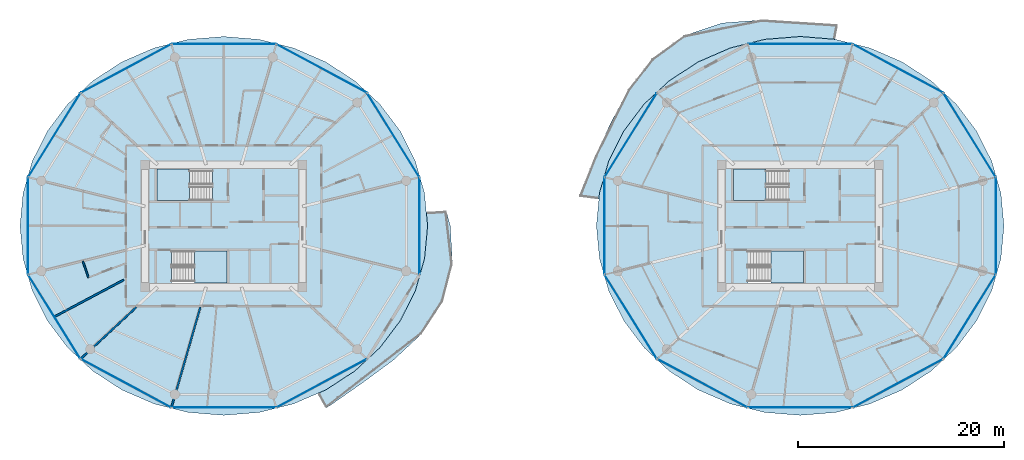
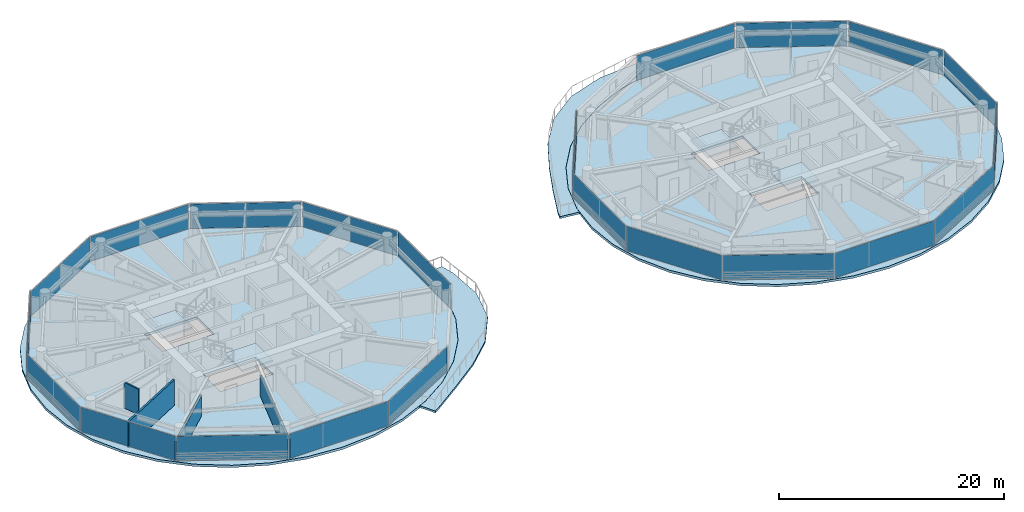
# One storey, part 14 of 26: 22 plates, 8 slabs, 4 walls, 26 elements without a shape of their own.
"""IFC4 building model written with IfcOpenShell, lengths in metres."""

from ifc_helpers import new_model, si_unit, direction, frame, frame_2d, origin, origin_2d, place, context, subcontext, project, spatial, polyline, rectangle, outline, extrude, source, transform, mapped, material, layer, layer_set, type_object, type_shapes, element, aggregate, save


model = new_model("IFC4")

# Units and contexts
model_context = context("Model", 3, precision=1e-05, world=origin(), true_north=direction((0.0, 1.0)))
body_context = subcontext(model_context, "Body", "Model", "MODEL_VIEW")
ifc_project = project(units=[si_unit("LENGTHUNIT", "METRE"), si_unit("AREAUNIT", "SQUARE_METRE"), si_unit("VOLUMEUNIT", "CUBIC_METRE"), si_unit("PLANEANGLEUNIT", "RADIAN"), si_unit("MASSUNIT", "GRAM", prefix="KILO")], contexts=[model_context])

# Site, building, storey
site_placement = place(None, origin())
site = spatial("IfcSite", under=ifc_project, at=site_placement, CompositionType="ELEMENT")
building_placement = place(site_placement, origin())
building = spatial("IfcBuilding", under=site, at=building_placement, Name="Norrkilde Senior Care Towers", CompositionType="ELEMENT")
storey_placement = place(building_placement, frame((0.0, 0.0, 64.300048828125)))
storey = spatial("IfcBuildingStorey", under=building, at=storey_placement, Name="L19", CompositionType="ELEMENT", Elevation=64.300048828125)

# Slabs
ifc_material_1 = material(Name="Concrete C50/60", Category="concrete")
ifc_layer_1 = layer(ifc_material_1, 0.215087890625)
ifc_layer_set_1 = layer_set([ifc_layer_1], Name="Concrete C50/60")
slab_type_1 = type_object("IfcSlabType", Name="Sinusoidal Balcony Ribbon Slab 215", PredefinedType="FLOOR", material=ifc_layer_set_1)
slab_1_placement = place(storey_placement, frame((0.0, 0.0, -0.215087890625)))
element("IfcSlab", 1, at=slab_1_placement, inside=storey, type_object=slab_type_1, Name="L19 Drum W Swirling Senior Balcony 1", PredefinedType="FLOOR", context=body_context, shape_type="SweptSolid", body=[
    extrude(outline(polyline([(-8.780029296875, -10.48779296875), (-11.50732421875, -13.023681640625), (-14.428466796875, -15.177978515625), (-17.391845703125, -17.2548828125), (-18.061767578125, -17.6767578125), (-18.854248046875, -16.26708984375), (-18.097412109375, -15.939208984375), (-15.26953125, -14.09912109375), (-12.828369140625, -11.83056640625), (-10.848388671875, -9.202392578125), (-9.389404296875, -6.294921875), (-8.495849609375, -3.196044921875), (-8.195068359375, 0.0), (-8.317626953125, 1.3017578125), (-6.38232421875, 1.4296875), (-5.993896484375, 0.0), (-5.78173828125, -3.7109375), (-6.7216796875, -7.33984375), (-8.780029296875, -10.48779296875)])), origin(), (0.0, 0.0, 1.0), 0.215087890625),
])
slab_2_placement = place(storey_placement, frame((0.0, 0.0, -0.215087890625)))
element("IfcSlab", 2, at=slab_2_placement, inside=storey, type_object=slab_type_1, Name="L19 Drum E Swirling Senior Balcony 1", PredefinedType="FLOOR", context=body_context, shape_type="SweptSolid", body=[
    extrude(outline(polyline([(8.11572265625, 6.7939453125), (9.580322265625, 9.990478515625), (11.295166015625, 13.215087890625), (13.623291015625, 16.210693359375), (16.73095703125, 18.486572265625), (20.408203125, 19.7138671875), (24.252685546875, 20.006591796875), (28.0, 19.81689453125), (31.6416015625, 19.5322265625), (31.38037109375, 18.130126953125), (28.0, 18.405029296875), (24.560791015625, 18.12548828125), (21.226318359375, 17.294921875), (18.097412109375, 15.939208984375), (15.26953125, 14.09912109375), (12.828369140625, 11.83056640625), (10.848388671875, 9.202392578125), (9.389404296875, 6.294921875), (8.495849609375, 3.196044921875), (8.439697265625, 2.599853515625), (6.55712890625, 2.85009765625), (6.746826171875, 3.52783203125), (8.11572265625, 6.7939453125)])), origin(), (0.0, 0.0, 1.0), 0.215087890625),
])

# Stair, slab
ifc_material_2 = material(Name="Concrete C45/55", Category="concrete")
stair_type = type_object("IfcStairType", Name="Core Protected Dogleg Stair Typical 3050", PredefinedType="HALF_TURN_STAIR", material=ifc_material_2)
stair_1_placement = place(storey_placement, origin())
stair_1 = element("IfcStair", 3, at=stair_1_placement, inside=storey, type_object=stair_type, Name="L19 Protected Core Stair W1", PredefinedType="HALF_TURN_STAIR")
ifc_layer_2 = layer(ifc_material_2, 0.199951171875)
ifc_layer_set_2 = layer_set([ifc_layer_2], Name="Concrete C45/55")
slab_type_2 = type_object("IfcSlabType", Name="Stair Landing Slab 200", PredefinedType="LANDING", material=ifc_layer_set_2)
slab_3_placement = place(storey_placement, frame((0.0, 0.0, 1.324951171875)))
slab_3 = element("IfcSlab", 4, at=slab_3_placement, type_object=slab_type_2, Name="ST-W1 landing 1", PredefinedType="LANDING", context=body_context, shape_type="SweptSolid", body=[
    extrude(outline(polyline([(-31.340087890625, 5.52490234375), (-34.5, 5.52490234375), (-34.5, 2.449951171875), (-31.340087890625, 2.449951171875), (-31.340087890625, 5.52490234375)])), origin(), (0.0, 0.0, 1.0), 0.199951171875),
])
aggregate(stair_1, [slab_3])

stair_2_placement = place(storey_placement, origin())
stair_2 = element("IfcStair", 5, at=stair_2_placement, inside=storey, type_object=stair_type, Name="L19 Protected Core Stair W2", PredefinedType="HALF_TURN_STAIR")
slab_4_placement = place(storey_placement, frame((0.0, 0.0, 1.324951171875)))
slab_4 = element("IfcSlab", 6, at=slab_4_placement, type_object=slab_type_2, Name="ST-W2 landing 1", PredefinedType="LANDING", context=body_context, shape_type="SweptSolid", body=[
    extrude(outline(polyline([(-30.860107421875, -5.52490234375), (-27.699951171875, -5.52490234375), (-27.699951171875, -2.449951171875), (-30.860107421875, -2.449951171875), (-30.860107421875, -5.52490234375)])), origin(), (0.0, 0.0, 1.0), 0.199951171875),
])
aggregate(stair_2, [slab_4])

stair_3_placement = place(storey_placement, origin())
stair_3 = element("IfcStair", 7, at=stair_3_placement, inside=storey, type_object=stair_type, Name="L19 Protected Core Stair E1", PredefinedType="HALF_TURN_STAIR")
slab_5_placement = place(storey_placement, frame((0.0, 0.0, 1.324951171875)))
slab_5 = element("IfcSlab", 8, at=slab_5_placement, type_object=slab_type_2, Name="ST-E1 landing 1", PredefinedType="LANDING", context=body_context, shape_type="SweptSolid", body=[
    extrude(outline(polyline([(24.659912109375, 5.52490234375), (21.5, 5.52490234375), (21.5, 2.449951171875), (24.659912109375, 2.449951171875), (24.659912109375, 5.52490234375)])), origin(), (0.0, 0.0, 1.0), 0.199951171875),
])
aggregate(stair_3, [slab_5])

stair_4_placement = place(storey_placement, origin())
stair_4 = element("IfcStair", 9, at=stair_4_placement, inside=storey, type_object=stair_type, Name="L19 Protected Core Stair E2", PredefinedType="HALF_TURN_STAIR")
slab_6_placement = place(storey_placement, frame((0.0, 0.0, 1.324951171875)))
slab_6 = element("IfcSlab", 10, at=slab_6_placement, type_object=slab_type_2, Name="ST-E2 landing 1", PredefinedType="LANDING", context=body_context, shape_type="SweptSolid", body=[
    extrude(outline(polyline([(25.139892578125, -5.52490234375), (28.300048828125, -5.52490234375), (28.300048828125, -2.449951171875), (25.139892578125, -2.449951171875), (25.139892578125, -5.52490234375)])), origin(), (0.0, 0.0, 1.0), 0.199951171875),
])
aggregate(stair_4, [slab_6])

# Slabs
ifc_layer_3 = layer(ifc_material_1, 0.260009765625)
ifc_layer_set_3 = layer_set([ifc_layer_3], Name="Concrete C50/60")
slab_type_3 = type_object("IfcSlabType", Name="Tower Care Floor Slab 260", PredefinedType="FLOOR", material=ifc_layer_set_3)
slab_7_placement = place(storey_placement, frame((0.0, 0.0, -0.260009765625)))
element("IfcSlab", 11, at=slab_7_placement, inside=storey, type_object=slab_type_3, Name="L19 Drum W Structural Floor Slab", PredefinedType="FLOOR", context=body_context, shape_type="SweptSolid", body=[
    extrude(outline(polyline([(-9.39404296875, -6.293212890625), (-10.852783203125, -9.199951171875), (-12.832275390625, -11.827392578125), (-15.272705078125, -14.09521484375), (-18.10009765625, -15.934814453125), (-21.22802734375, -17.290283203125), (-24.561767578125, -18.120361328125), (-28.0, -18.39990234375), (-31.438232421875, -18.120361328125), (-34.77197265625, -17.290283203125), (-37.89990234375, -15.934814453125), (-40.727294921875, -14.09521484375), (-43.167724609375, -11.827392578125), (-45.147216796875, -9.199951171875), (-46.60595703125, -6.293212890625), (-47.499267578125, -3.195068359375), (-47.800048828125, 0.0), (-47.499267578125, 3.195068359375), (-46.60595703125, 6.293212890625), (-45.147216796875, 9.199951171875), (-43.167724609375, 11.827392578125), (-40.727294921875, 14.09521484375), (-37.89990234375, 15.934814453125), (-34.77197265625, 17.290283203125), (-31.438232421875, 18.120361328125), (-28.0, 18.39990234375), (-24.561767578125, 18.120361328125), (-21.22802734375, 17.290283203125), (-18.10009765625, 15.934814453125), (-15.272705078125, 14.09521484375), (-12.832275390625, 11.827392578125), (-10.852783203125, 9.199951171875), (-9.39404296875, 6.293212890625), (-8.500732421875, 3.195068359375), (-8.199951171875, 0.0), (-8.500732421875, -3.195068359375), (-9.39404296875, -6.293212890625)]), holes=[polyline([(-34.48193359375, 2.468017578125), (-29.117919921875, 2.468017578125), (-29.117919921875, 5.52490234375), (-34.48193359375, 5.52490234375), (-34.48193359375, 2.468017578125)]), polyline([(-27.718017578125, -5.52490234375), (-27.718017578125, -2.468017578125), (-33.08203125, -2.468017578125), (-33.08203125, -5.52490234375), (-27.718017578125, -5.52490234375)])]), origin(), (0.0, 0.0, 1.0), 0.260009765625),
])
slab_8_placement = place(storey_placement, frame((0.0, 0.0, -0.260009765625)))
element("IfcSlab", 12, at=slab_8_placement, inside=storey, type_object=slab_type_3, Name="L19 Drum E Structural Floor Slab", PredefinedType="FLOOR", context=body_context, shape_type="SweptSolid", body=[
    extrude(outline(polyline([(46.60595703125, -6.293212890625), (45.147216796875, -9.199951171875), (43.167724609375, -11.827392578125), (40.727294921875, -14.09521484375), (37.89990234375, -15.934814453125), (34.77197265625, -17.290283203125), (31.438232421875, -18.120361328125), (28.0, -18.39990234375), (24.561767578125, -18.120361328125), (21.22802734375, -17.290283203125), (18.10009765625, -15.934814453125), (15.272705078125, -14.09521484375), (12.832275390625, -11.827392578125), (10.852783203125, -9.199951171875), (9.39404296875, -6.293212890625), (8.500732421875, -3.195068359375), (8.199951171875, 0.0), (8.500732421875, 3.195068359375), (9.39404296875, 6.293212890625), (10.852783203125, 9.199951171875), (12.832275390625, 11.827392578125), (15.272705078125, 14.09521484375), (18.10009765625, 15.934814453125), (21.22802734375, 17.290283203125), (24.561767578125, 18.120361328125), (28.0, 18.39990234375), (31.438232421875, 18.120361328125), (34.77197265625, 17.290283203125), (37.89990234375, 15.934814453125), (40.727294921875, 14.09521484375), (43.167724609375, 11.827392578125), (45.147216796875, 9.199951171875), (46.60595703125, 6.293212890625), (47.499267578125, 3.195068359375), (47.800048828125, 0.0), (47.499267578125, -3.195068359375), (46.60595703125, -6.293212890625)]), holes=[polyline([(21.51806640625, 2.468017578125), (26.882080078125, 2.468017578125), (26.882080078125, 5.52490234375), (21.51806640625, 5.52490234375), (21.51806640625, 2.468017578125)]), polyline([(28.281982421875, -5.52490234375), (28.281982421875, -2.468017578125), (22.91796875, -2.468017578125), (22.91796875, -5.52490234375), (28.281982421875, -5.52490234375)])]), origin(), (0.0, 0.0, 1.0), 0.260009765625),
])

# Curtain wall, plate
ifc_material_3 = material(Name="Triple Low-E Insulated Glazing", Category="glass")
ifc_layer_4 = layer(ifc_material_3, 0.199951171875)
ifc_layer_set_4 = layer_set([ifc_layer_4], Name="Triple Low-E Insulated Glazing")
curtain_wall_type = type_object("IfcCurtainWallType", Name="CW2 Zone 1 Memory Care Curtain Wall", PredefinedType="NOTDEFINED", material=ifc_layer_set_4)
curtain_wall_1_placement = place(storey_placement, origin())
curtain_wall_1 = element("IfcCurtainWall", 13, at=curtain_wall_1_placement, inside=storey, type_object=curtain_wall_type, Name="L19 Drum W Curtain Wall 00", PredefinedType="NOTDEFINED")
ifc_layer_5 = layer(ifc_material_3, 0.035888671875)
ifc_layer_set_5 = layer_set([ifc_layer_5], Name="Triple Low-E Insulated Glazing")
plate_type = type_object("IfcPlateType", Name="Triple Low-E Vision Curtain Panel 36", PredefinedType="CURTAIN_PANEL", material=ifc_layer_set_5)
shared_shape_1 = source(origin(), body_context, "Body", "SweptSolid", [
    extrude(rectangle(XDim=9.518798828125, YDim=0.035888671875, at=origin_2d()), origin(), (0.0, 0.0, 1.0), 2.669921875),
])
plate_1_placement = place(storey_placement, frame((-11.537353515625, 8.82861328125, 0.06005859375), z_axis=(0.0, 0.0, 1.0), x_axis=(0.527900951871, -0.849305943117, 0.0)))
plate_1 = element("IfcPlate", 14, at=plate_1_placement, type_object=plate_type, Name="CW-2 panel 1.1", PredefinedType="CURTAIN_PANEL", context=body_context, shape_type="MappedRepresentation", body=[
    mapped(shared_shape_1, transform((0.0, 0.0, 0.0), x_axis=(1.0, 0.0, 0.0), y_axis=(0.0, 1.0, 0.0), z_axis=(0.0, 0.0, 1.0), scale=1.0)),
])
aggregate(curtain_wall_1, [plate_1])

curtain_wall_2_placement = place(storey_placement, origin())
curtain_wall_2 = element("IfcCurtainWall", 15, at=curtain_wall_2_placement, inside=storey, type_object=curtain_wall_type, Name="L19 Drum W Curtain Wall 04", PredefinedType="NOTDEFINED")
plate_2_placement = place(storey_placement, frame((-44.462646484375, 8.82861328125, 0.06005859375), z_axis=(0.0, 0.0, 1.0), x_axis=(0.527900951871, 0.849305943117, 0.0)))
plate_2 = element("IfcPlate", 16, at=plate_2_placement, type_object=plate_type, Name="CW-2 panel 1.1", PredefinedType="CURTAIN_PANEL", context=body_context, shape_type="MappedRepresentation", body=[
    mapped(shared_shape_1, transform((0.0, 0.0, 0.0), x_axis=(1.0, 0.0, 0.0), y_axis=(0.0, 1.0, 0.0), z_axis=(0.0, 0.0, 1.0), scale=1.0)),
])
aggregate(curtain_wall_2, [plate_2])

curtain_wall_3_placement = place(storey_placement, origin())
curtain_wall_3 = element("IfcCurtainWall", 17, at=curtain_wall_3_placement, inside=storey, type_object=curtain_wall_type, Name="L19 Drum W Curtain Wall 06", PredefinedType="NOTDEFINED")
plate_3_placement = place(storey_placement, frame((-44.462646484375, -8.82861328125, 0.06005859375), z_axis=(0.0, 0.0, 1.0), x_axis=(-0.527900951871, 0.849305943117, 0.0)))
plate_3 = element("IfcPlate", 18, at=plate_3_placement, type_object=plate_type, Name="CW-2 panel 1.1", PredefinedType="CURTAIN_PANEL", context=body_context, shape_type="MappedRepresentation", body=[
    mapped(shared_shape_1, transform((0.0, 0.0, 0.0), x_axis=(1.0, 0.0, 0.0), y_axis=(0.0, 1.0, 0.0), z_axis=(0.0, 0.0, 1.0), scale=1.0)),
])
aggregate(curtain_wall_3, [plate_3])

curtain_wall_4_placement = place(storey_placement, origin())
curtain_wall_4 = element("IfcCurtainWall", 19, at=curtain_wall_4_placement, inside=storey, type_object=curtain_wall_type, Name="L19 Drum E Curtain Wall 00", PredefinedType="NOTDEFINED")
plate_4_placement = place(storey_placement, frame((44.462646484375, 8.82861328125, 0.06005859375), z_axis=(0.0, 0.0, 1.0), x_axis=(0.527900951871, -0.849305943117, 0.0)))
plate_4 = element("IfcPlate", 20, at=plate_4_placement, type_object=plate_type, Name="CW-2 panel 1.1", PredefinedType="CURTAIN_PANEL", context=body_context, shape_type="MappedRepresentation", body=[
    mapped(shared_shape_1, transform((0.0, 0.0, 0.0), x_axis=(1.0, 0.0, 0.0), y_axis=(0.0, 1.0, 0.0), z_axis=(0.0, 0.0, 1.0), scale=1.0)),
])
aggregate(curtain_wall_4, [plate_4])

curtain_wall_5_placement = place(storey_placement, origin())
curtain_wall_5 = element("IfcCurtainWall", 21, at=curtain_wall_5_placement, inside=storey, type_object=curtain_wall_type, Name="L19 Drum E Curtain Wall 04", PredefinedType="NOTDEFINED")
plate_5_placement = place(storey_placement, frame((11.537353515625, 8.82861328125, 0.06005859375), z_axis=(0.0, 0.0, 1.0), x_axis=(0.527900951871, 0.849305943117, 0.0)))
plate_5 = element("IfcPlate", 22, at=plate_5_placement, type_object=plate_type, Name="CW-2 panel 1.1", PredefinedType="CURTAIN_PANEL", context=body_context, shape_type="MappedRepresentation", body=[
    mapped(shared_shape_1, transform((0.0, 0.0, 0.0), x_axis=(1.0, 0.0, 0.0), y_axis=(0.0, 1.0, 0.0), z_axis=(0.0, 0.0, 1.0), scale=1.0)),
])
aggregate(curtain_wall_5, [plate_5])

curtain_wall_6_placement = place(storey_placement, origin())
curtain_wall_6 = element("IfcCurtainWall", 23, at=curtain_wall_6_placement, inside=storey, type_object=curtain_wall_type, Name="L19 Drum E Curtain Wall 06", PredefinedType="NOTDEFINED")
plate_6_placement = place(storey_placement, frame((11.537353515625, -8.82861328125, 0.06005859375), z_axis=(0.0, 0.0, 1.0), x_axis=(-0.527900951871, 0.849305943117, 0.0)))
plate_6 = element("IfcPlate", 24, at=plate_6_placement, type_object=plate_type, Name="CW-2 panel 1.1", PredefinedType="CURTAIN_PANEL", context=body_context, shape_type="MappedRepresentation", body=[
    mapped(shared_shape_1, transform((0.0, 0.0, 0.0), x_axis=(1.0, 0.0, 0.0), y_axis=(0.0, 1.0, 0.0), z_axis=(0.0, 0.0, 1.0), scale=1.0)),
])
aggregate(curtain_wall_6, [plate_6])

curtain_wall_7_placement = place(storey_placement, origin())
curtain_wall_7 = element("IfcCurtainWall", 25, at=curtain_wall_7_placement, inside=storey, type_object=curtain_wall_type, Name="L19 Drum E Curtain Wall 10", PredefinedType="NOTDEFINED")
plate_7_placement = place(storey_placement, frame((44.462646484375, -8.82861328125, 0.06005859375), z_axis=(0.0, 0.0, 1.0), x_axis=(-0.527900951871, -0.849305943117, 0.0)))
plate_7 = element("IfcPlate", 26, at=plate_7_placement, type_object=plate_type, Name="CW-2 panel 1.1", PredefinedType="CURTAIN_PANEL", context=body_context, shape_type="MappedRepresentation", body=[
    mapped(shared_shape_1, transform((0.0, 0.0, 0.0), x_axis=(1.0, 0.0, 0.0), y_axis=(0.0, 1.0, 0.0), z_axis=(0.0, 0.0, 1.0), scale=1.0)),
])
aggregate(curtain_wall_7, [plate_7])

curtain_wall_8_placement = place(storey_placement, origin())
curtain_wall_8 = element("IfcCurtainWall", 27, at=curtain_wall_8_placement, inside=storey, type_object=curtain_wall_type, Name="L19 Drum W Curtain Wall 01", PredefinedType="NOTDEFINED")
shared_shape_2 = source(origin(), body_context, "Body", "SweptSolid", [
    extrude(rectangle(XDim=9.880859375, YDim=0.035888671875, at=origin_2d()), origin(), (0.0, 0.0, 1.0), 2.669921875),
])
plate_8_placement = place(storey_placement, frame((-18.495361328125, 15.29150390625, 0.06005859375), z_axis=(0.0, 0.0, 1.0), x_axis=(0.881272866403, -0.472607802456, 0.0)))
plate_8 = element("IfcPlate", 28, at=plate_8_placement, type_object=plate_type, Name="CW-2 panel 1.1", PredefinedType="CURTAIN_PANEL", context=body_context, shape_type="MappedRepresentation", body=[
    mapped(shared_shape_2, transform((0.0, 0.0, 0.0), x_axis=(1.0, 0.0, 0.0), y_axis=(0.0, 1.0, 0.0), z_axis=(0.0, 0.0, 1.0), scale=1.0)),
])
aggregate(curtain_wall_8, [plate_8])

curtain_wall_9_placement = place(storey_placement, origin())
curtain_wall_9 = element("IfcCurtainWall", 29, at=curtain_wall_9_placement, inside=storey, type_object=curtain_wall_type, Name="L19 Drum W Curtain Wall 03", PredefinedType="NOTDEFINED")
plate_9_placement = place(storey_placement, frame((-37.504638671875, 15.29150390625, 0.06005859375), z_axis=(0.0, 0.0, 1.0), x_axis=(0.881272866403, 0.472607802456, 0.0)))
plate_9 = element("IfcPlate", 30, at=plate_9_placement, type_object=plate_type, Name="CW-2 panel 1.1", PredefinedType="CURTAIN_PANEL", context=body_context, shape_type="MappedRepresentation", body=[
    mapped(shared_shape_2, transform((0.0, 0.0, 0.0), x_axis=(1.0, 0.0, 0.0), y_axis=(0.0, 1.0, 0.0), z_axis=(0.0, 0.0, 1.0), scale=1.0)),
])
aggregate(curtain_wall_9, [plate_9])

curtain_wall_10_placement = place(storey_placement, origin())
curtain_wall_10 = element("IfcCurtainWall", 31, at=curtain_wall_10_placement, inside=storey, type_object=curtain_wall_type, Name="L19 Drum W Curtain Wall 07", PredefinedType="NOTDEFINED")
plate_10_placement = place(storey_placement, frame((-37.504638671875, -15.29150390625, 0.06005859375), z_axis=(0.0, 0.0, 1.0), x_axis=(-0.881272866403, 0.472607802456, 0.0)))
plate_10 = element("IfcPlate", 32, at=plate_10_placement, type_object=plate_type, Name="CW-2 panel 1.1", PredefinedType="CURTAIN_PANEL", context=body_context, shape_type="MappedRepresentation", body=[
    mapped(shared_shape_2, transform((0.0, 0.0, 0.0), x_axis=(1.0, 0.0, 0.0), y_axis=(0.0, 1.0, 0.0), z_axis=(0.0, 0.0, 1.0), scale=1.0)),
])
aggregate(curtain_wall_10, [plate_10])

curtain_wall_11_placement = place(storey_placement, origin())
curtain_wall_11 = element("IfcCurtainWall", 33, at=curtain_wall_11_placement, inside=storey, type_object=curtain_wall_type, Name="L19 Drum W Curtain Wall 09", PredefinedType="NOTDEFINED")
plate_11_placement = place(storey_placement, frame((-18.495361328125, -15.29150390625, 0.06005859375), z_axis=(0.0, 0.0, 1.0), x_axis=(-0.881272866403, -0.472607802456, 0.0)))
plate_11 = element("IfcPlate", 34, at=plate_11_placement, type_object=plate_type, Name="CW-2 panel 1.1", PredefinedType="CURTAIN_PANEL", context=body_context, shape_type="MappedRepresentation", body=[
    mapped(shared_shape_2, transform((0.0, 0.0, 0.0), x_axis=(1.0, 0.0, 0.0), y_axis=(0.0, 1.0, 0.0), z_axis=(0.0, 0.0, 1.0), scale=1.0)),
])
aggregate(curtain_wall_11, [plate_11])

curtain_wall_12_placement = place(storey_placement, origin())
curtain_wall_12 = element("IfcCurtainWall", 35, at=curtain_wall_12_placement, inside=storey, type_object=curtain_wall_type, Name="L19 Drum E Curtain Wall 01", PredefinedType="NOTDEFINED")
plate_12_placement = place(storey_placement, frame((37.504638671875, 15.29150390625, 0.06005859375), z_axis=(0.0, 0.0, 1.0), x_axis=(0.881272866403, -0.472607802456, 0.0)))
plate_12 = element("IfcPlate", 36, at=plate_12_placement, type_object=plate_type, Name="CW-2 panel 1.1", PredefinedType="CURTAIN_PANEL", context=body_context, shape_type="MappedRepresentation", body=[
    mapped(shared_shape_2, transform((0.0, 0.0, 0.0), x_axis=(1.0, 0.0, 0.0), y_axis=(0.0, 1.0, 0.0), z_axis=(0.0, 0.0, 1.0), scale=1.0)),
])
aggregate(curtain_wall_12, [plate_12])

curtain_wall_13_placement = place(storey_placement, origin())
curtain_wall_13 = element("IfcCurtainWall", 37, at=curtain_wall_13_placement, inside=storey, type_object=curtain_wall_type, Name="L19 Drum E Curtain Wall 07", PredefinedType="NOTDEFINED")
plate_13_placement = place(storey_placement, frame((18.495361328125, -15.29150390625, 0.06005859375), z_axis=(0.0, 0.0, 1.0), x_axis=(-0.881272866403, 0.472607802456, 0.0)))
plate_13 = element("IfcPlate", 38, at=plate_13_placement, type_object=plate_type, Name="CW-2 panel 1.1", PredefinedType="CURTAIN_PANEL", context=body_context, shape_type="MappedRepresentation", body=[
    mapped(shared_shape_2, transform((0.0, 0.0, 0.0), x_axis=(1.0, 0.0, 0.0), y_axis=(0.0, 1.0, 0.0), z_axis=(0.0, 0.0, 1.0), scale=1.0)),
])
aggregate(curtain_wall_13, [plate_13])

curtain_wall_14_placement = place(storey_placement, origin())
curtain_wall_14 = element("IfcCurtainWall", 39, at=curtain_wall_14_placement, inside=storey, type_object=curtain_wall_type, Name="L19 Drum E Curtain Wall 09", PredefinedType="NOTDEFINED")
plate_14_placement = place(storey_placement, frame((37.504638671875, -15.29150390625, 0.06005859375), z_axis=(0.0, 0.0, 1.0), x_axis=(-0.881272866403, -0.472607802456, 0.0)))
plate_14 = element("IfcPlate", 40, at=plate_14_placement, type_object=plate_type, Name="CW-2 panel 1.1", PredefinedType="CURTAIN_PANEL", context=body_context, shape_type="MappedRepresentation", body=[
    mapped(shared_shape_2, transform((0.0, 0.0, 0.0), x_axis=(1.0, 0.0, 0.0), y_axis=(0.0, 1.0, 0.0), z_axis=(0.0, 0.0, 1.0), scale=1.0)),
])
aggregate(curtain_wall_14, [plate_14])

curtain_wall_15_placement = place(storey_placement, origin())
curtain_wall_15 = element("IfcCurtainWall", 41, at=curtain_wall_15_placement, inside=storey, type_object=curtain_wall_type, Name="L19 Drum W Curtain Wall 05", PredefinedType="NOTDEFINED")
shared_shape_3 = source(origin(), body_context, "Body", "SweptSolid", [
    extrude(rectangle(XDim=9.33251953125, YDim=0.035888671875, at=origin_2d()), origin(), (0.0, 0.0, 1.0), 2.669921875),
])
plate_15_placement = place(storey_placement, frame((-47.009521484375, 0.0, 0.06005859375), z_axis=(0.0, 0.0, 1.0), x_axis=(0.0, 1.0, 0.0)))
plate_15 = element("IfcPlate", 42, at=plate_15_placement, type_object=plate_type, Name="CW-2 panel 1.1", PredefinedType="CURTAIN_PANEL", context=body_context, shape_type="MappedRepresentation", body=[
    mapped(shared_shape_3, transform((0.0, 0.0, 0.0), x_axis=(1.0, 0.0, 0.0), y_axis=(0.0, 1.0, 0.0), z_axis=(0.0, 0.0, 1.0), scale=1.0)),
])
aggregate(curtain_wall_15, [plate_15])

curtain_wall_16_placement = place(storey_placement, origin())
curtain_wall_16 = element("IfcCurtainWall", 43, at=curtain_wall_16_placement, inside=storey, type_object=curtain_wall_type, Name="L19 Drum W Curtain Wall 11", PredefinedType="NOTDEFINED")
plate_16_placement = place(storey_placement, frame((-8.990478515625, 0.0, 0.06005859375), z_axis=(0.0, 0.0, 1.0), x_axis=(0.0, -1.0, 0.0)))
plate_16 = element("IfcPlate", 44, at=plate_16_placement, type_object=plate_type, Name="CW-2 panel 1.1", PredefinedType="CURTAIN_PANEL", context=body_context, shape_type="MappedRepresentation", body=[
    mapped(shared_shape_3, transform((0.0, 0.0, 0.0), x_axis=(1.0, 0.0, 0.0), y_axis=(0.0, 1.0, 0.0), z_axis=(0.0, 0.0, 1.0), scale=1.0)),
])
aggregate(curtain_wall_16, [plate_16])

curtain_wall_17_placement = place(storey_placement, origin())
curtain_wall_17 = element("IfcCurtainWall", 45, at=curtain_wall_17_placement, inside=storey, type_object=curtain_wall_type, Name="L19 Drum E Curtain Wall 05", PredefinedType="NOTDEFINED")
plate_17_placement = place(storey_placement, frame((8.990478515625, 0.0, 0.06005859375), z_axis=(0.0, 0.0, 1.0), x_axis=(0.0, 1.0, 0.0)))
plate_17 = element("IfcPlate", 46, at=plate_17_placement, type_object=plate_type, Name="CW-2 panel 1.1", PredefinedType="CURTAIN_PANEL", context=body_context, shape_type="MappedRepresentation", body=[
    mapped(shared_shape_3, transform((0.0, 0.0, 0.0), x_axis=(1.0, 0.0, 0.0), y_axis=(0.0, 1.0, 0.0), z_axis=(0.0, 0.0, 1.0), scale=1.0)),
])
aggregate(curtain_wall_17, [plate_17])

curtain_wall_18_placement = place(storey_placement, origin())
curtain_wall_18 = element("IfcCurtainWall", 47, at=curtain_wall_18_placement, inside=storey, type_object=curtain_wall_type, Name="L19 Drum E Curtain Wall 11", PredefinedType="NOTDEFINED")
plate_18_placement = place(storey_placement, frame((47.009521484375, 0.0, 0.06005859375), z_axis=(0.0, 0.0, 1.0), x_axis=(0.0, -1.0, 0.0)))
plate_18 = element("IfcPlate", 48, at=plate_18_placement, type_object=plate_type, Name="CW-2 panel 1.1", PredefinedType="CURTAIN_PANEL", context=body_context, shape_type="MappedRepresentation", body=[
    mapped(shared_shape_3, transform((0.0, 0.0, 0.0), x_axis=(1.0, 0.0, 0.0), y_axis=(0.0, 1.0, 0.0), z_axis=(0.0, 0.0, 1.0), scale=1.0)),
])
aggregate(curtain_wall_18, [plate_18])

curtain_wall_19_placement = place(storey_placement, origin())
curtain_wall_19 = element("IfcCurtainWall", 49, at=curtain_wall_19_placement, inside=storey, type_object=curtain_wall_type, Name="L19 Drum W Curtain Wall 02", PredefinedType="NOTDEFINED")
shared_shape_4 = source(origin(), body_context, "Body", "SweptSolid", [
    extrude(rectangle(XDim=10.05712890625, YDim=0.035888671875, at=origin_2d()), origin(), (0.0, 0.0, 1.0), 2.669921875),
])
type_shapes(plate_type, [shared_shape_1, shared_shape_2, shared_shape_3, shared_shape_4])
plate_19_placement = place(storey_placement, frame((-28.0, 17.6572265625, 0.06005859375), z_axis=(0.0, 0.0, 1.0), x_axis=(1.0, 0.0, 0.0)))
plate_19 = element("IfcPlate", 50, at=plate_19_placement, type_object=plate_type, Name="CW-2 panel 1.1", PredefinedType="CURTAIN_PANEL", context=body_context, shape_type="MappedRepresentation", body=[
    mapped(shared_shape_4, transform((0.0, 0.0, 0.0), x_axis=(1.0, 0.0, 0.0), y_axis=(0.0, 1.0, 0.0), z_axis=(0.0, 0.0, 1.0), scale=1.0)),
])
aggregate(curtain_wall_19, [plate_19])

curtain_wall_20_placement = place(storey_placement, origin())
curtain_wall_20 = element("IfcCurtainWall", 51, at=curtain_wall_20_placement, inside=storey, type_object=curtain_wall_type, Name="L19 Drum W Curtain Wall 08", PredefinedType="NOTDEFINED")
plate_20_placement = place(storey_placement, frame((-28.0, -17.6572265625, 0.06005859375), z_axis=(0.0, 0.0, 1.0), x_axis=(-1.0, 0.0, 0.0)))
plate_20 = element("IfcPlate", 52, at=plate_20_placement, type_object=plate_type, Name="CW-2 panel 1.1", PredefinedType="CURTAIN_PANEL", context=body_context, shape_type="MappedRepresentation", body=[
    mapped(shared_shape_4, transform((0.0, 0.0, 0.0), x_axis=(1.0, 0.0, 0.0), y_axis=(0.0, 1.0, 0.0), z_axis=(0.0, 0.0, 1.0), scale=1.0)),
])
aggregate(curtain_wall_20, [plate_20])

curtain_wall_21_placement = place(storey_placement, origin())
curtain_wall_21 = element("IfcCurtainWall", 53, at=curtain_wall_21_placement, inside=storey, type_object=curtain_wall_type, Name="L19 Drum E Curtain Wall 02", PredefinedType="NOTDEFINED")
plate_21_placement = place(storey_placement, frame((28.0, 17.6572265625, 0.06005859375), z_axis=(0.0, 0.0, 1.0), x_axis=(1.0, 0.0, 0.0)))
plate_21 = element("IfcPlate", 54, at=plate_21_placement, type_object=plate_type, Name="CW-2 panel 1.1", PredefinedType="CURTAIN_PANEL", context=body_context, shape_type="MappedRepresentation", body=[
    mapped(shared_shape_4, transform((0.0, 0.0, 0.0), x_axis=(1.0, 0.0, 0.0), y_axis=(0.0, 1.0, 0.0), z_axis=(0.0, 0.0, 1.0), scale=1.0)),
])
aggregate(curtain_wall_21, [plate_21])

curtain_wall_22_placement = place(storey_placement, origin())
curtain_wall_22 = element("IfcCurtainWall", 55, at=curtain_wall_22_placement, inside=storey, type_object=curtain_wall_type, Name="L19 Drum E Curtain Wall 08", PredefinedType="NOTDEFINED")
plate_22_placement = place(storey_placement, frame((28.0, -17.6572265625, 0.06005859375), z_axis=(0.0, 0.0, 1.0), x_axis=(-1.0, 0.0, 0.0)))
plate_22 = element("IfcPlate", 56, at=plate_22_placement, type_object=plate_type, Name="CW-2 panel 1.1", PredefinedType="CURTAIN_PANEL", context=body_context, shape_type="MappedRepresentation", body=[
    mapped(shared_shape_4, transform((0.0, 0.0, 0.0), x_axis=(1.0, 0.0, 0.0), y_axis=(0.0, 1.0, 0.0), z_axis=(0.0, 0.0, 1.0), scale=1.0)),
])
aggregate(curtain_wall_22, [plate_22])

# Walls
ifc_material_4 = material(Name="Gypsum Acoustic Board")
ifc_layer_6 = layer(ifc_material_4, 0.18994140625)
ifc_layer_set_6 = layer_set([ifc_layer_6], Name="Gypsum Acoustic Board")
wall_type_1 = type_object("IfcWallType", Name="Unit Demising Acoustic Wall 190", PredefinedType="PARTITIONING", material=ifc_layer_set_6)
shared_shape_5 = source(origin(), body_context, "Body", "SweptSolid", [
    extrude(rectangle(XDim=7.4345703125, YDim=0.18994140625, at=frame_2d((3.71728515625, 0.0))), origin(), (0.0, 0.0, 1.0), 2.224853515625),
])
wall_1_placement = place(storey_placement, frame((-36.48291015625, -7.8798828125, 0.0), z_axis=(0.0, 0.0, 1.0), x_axis=(-0.732651956848, -0.680603489652, 0.0)))
element("IfcWall", 57, at=wall_1_placement, inside=storey, type_object=wall_type_1, Name="WL-INT-L19-W-DEM-07-0", PredefinedType="PARTITIONING", context=body_context, shape_type="MappedRepresentation", body=[
    mapped(shared_shape_5, transform((0.0, 0.0, 0.0), x_axis=(1.0, 0.0, 0.0), y_axis=(0.0, 1.0, 0.0), z_axis=(0.0, 0.0, 1.0), scale=1.0)),
])
shared_shape_6 = source(origin(), body_context, "Body", "SweptSolid", [
    extrude(rectangle(XDim=10.196044921875, YDim=0.18994140625, at=frame_2d((5.09814453125, 0.0))), origin(), (0.0, 0.0, 1.0), 2.224853515625),
])
wall_2_placement = place(storey_placement, frame((-30.27294921875, -7.8798828125, 0.0), z_axis=(0.0, 0.0, 1.0), x_axis=(-0.277136420347, -0.960830580549, 0.0)))
element("IfcWall", 58, at=wall_2_placement, inside=storey, type_object=wall_type_1, Name="WL-INT-L19-W-DEM-08-0", PredefinedType="PARTITIONING", context=body_context, shape_type="MappedRepresentation", body=[
    mapped(shared_shape_6, transform((0.0, 0.0, 0.0), x_axis=(1.0, 0.0, 0.0), y_axis=(0.0, 1.0, 0.0), z_axis=(0.0, 0.0, 1.0), scale=1.0)),
])
shared_shape_7 = source(origin(), body_context, "Body", "SweptSolid", [
    extrude(rectangle(XDim=7.6767578125, YDim=0.18994140625, at=frame_2d((3.83837890625, 0.0))), origin(), (0.0, 0.0, 1.0), 2.77490234375),
])
type_shapes(wall_type_1, [shared_shape_5, shared_shape_6, shared_shape_7])
wall_3_placement = place(storey_placement, frame((-37.703125, -5.23095703125, 0.0), z_axis=(0.0, 0.0, 1.0), x_axis=(-0.882725057546, -0.469889851753, 0.0)))
element("IfcWall", 59, at=wall_3_placement, inside=storey, type_object=wall_type_1, Name="WL-INT-L19-W-CMID-06", PredefinedType="PARTITIONING", context=body_context, shape_type="MappedRepresentation", body=[
    mapped(shared_shape_7, transform((0.0, 0.0, 0.0), x_axis=(1.0, 0.0, 0.0), y_axis=(0.0, 1.0, 0.0), z_axis=(0.0, 0.0, 1.0), scale=1.0)),
])
ifc_layer_7 = layer(ifc_material_4, 0.139892578125)
ifc_layer_set_7 = layer_set([ifc_layer_7], Name="Gypsum Acoustic Board")
wall_type_2 = type_object("IfcWallType", Name="En-suite Wet Room Wall 140", PredefinedType="PARTITIONING", material=ifc_layer_set_7)
shared_shape_8 = source(origin(), body_context, "Body", "SweptSolid", [
    extrude(rectangle(XDim=1.67578125, YDim=0.139892578125, at=frame_2d((0.837890625, 0.0))), origin(), (0.0, 0.0, 1.0), 2.77490234375),
])
type_shapes(wall_type_2, [shared_shape_8])
wall_4_placement = place(storey_placement, frame((-41.150146484375, -5.010986328125, 0.0), z_axis=(0.0, 0.0, 1.0), x_axis=(-0.327785970556, 0.944752008469, 0.0)))
element("IfcWall", 60, at=wall_4_placement, inside=storey, type_object=wall_type_2, Name="WL-INT-L19-W-EF-06A", PredefinedType="PARTITIONING", context=body_context, shape_type="MappedRepresentation", body=[
    mapped(shared_shape_8, transform((0.0, 0.0, 0.0), x_axis=(1.0, 0.0, 0.0), y_axis=(0.0, 1.0, 0.0), z_axis=(0.0, 0.0, 1.0), scale=1.0)),
])

save(model, "model.ifc")
